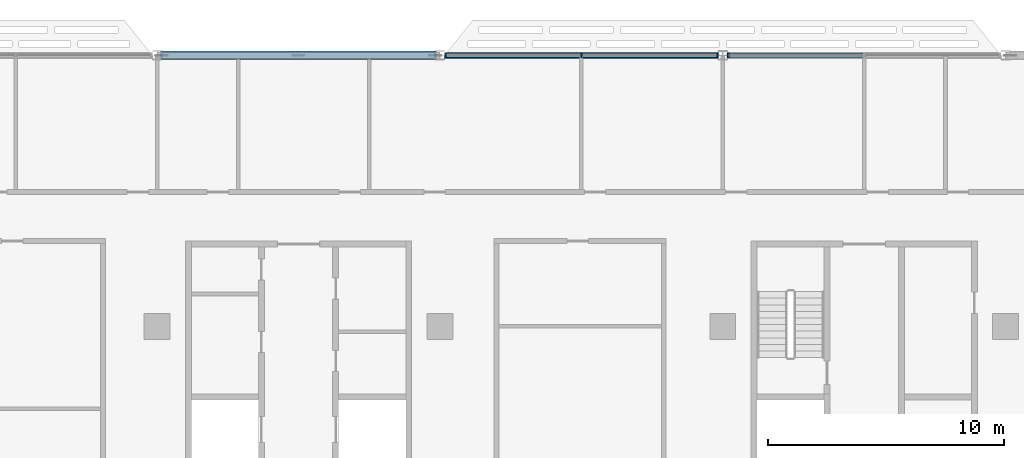
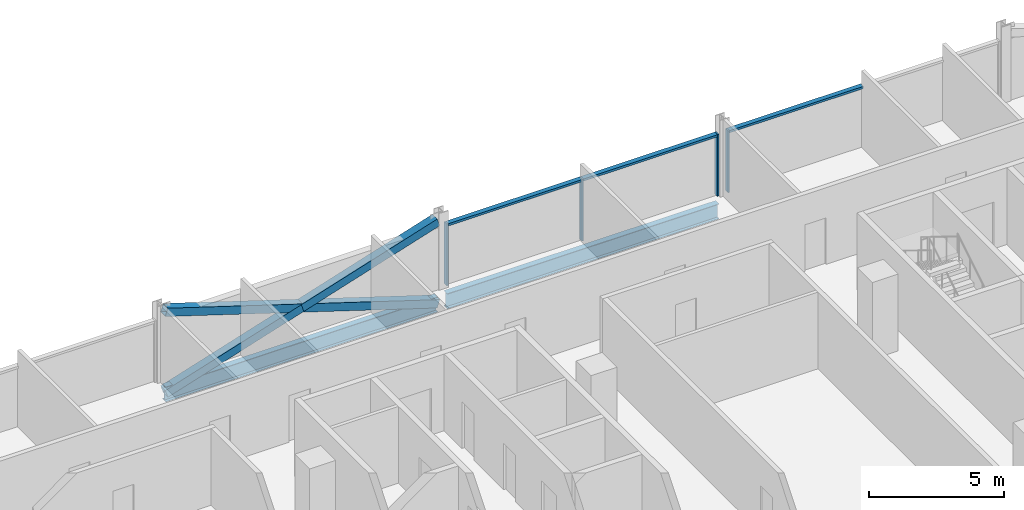
# One storey, part 8 of 30: 10 members, 2 beams, 2 elements without a shape of their own.
"""IFC4 building model written with IfcOpenShell, lengths in metres."""

from ifc_helpers import new_model, si_unit, direction, frame, origin, origin_2d, place, context, subcontext, project, spatial, rectangle, hollow_rectangle, i_section, extrude, material, material_profile, profile_set, type_object, element, aggregate, save


model = new_model("IFC4")

# Units and contexts
model_context = context("Model", 3, precision=1e-05, world=origin(), true_north=direction((0.0, 1.0)))
body_context = subcontext(model_context, "Body", "Model", "MODEL_VIEW")
ifc_project = project(units=[si_unit("LENGTHUNIT", "METRE"), si_unit("AREAUNIT", "SQUARE_METRE"), si_unit("VOLUMEUNIT", "CUBIC_METRE"), si_unit("PLANEANGLEUNIT", "RADIAN"), si_unit("MASSUNIT", "GRAM", prefix="KILO")], contexts=[model_context])

# Site, building, storey
site_placement = place(None, origin())
site = spatial("IfcSite", under=ifc_project, at=site_placement, CompositionType="ELEMENT")
building_placement = place(site_placement, origin())
building = spatial("IfcBuilding", under=site, at=building_placement, Name="Mahtab Terrace Research Tower", CompositionType="ELEMENT")
storey_placement = place(building_placement, frame((0.0, 0.0, 212.89990234375)))
storey = spatial("IfcBuildingStorey", under=building, at=storey_placement, Name="L51", CompositionType="ELEMENT", Elevation=212.89990234375)

# Members
ifc_material_1 = material(Name="Steel ASTM A500 Gr C", Category="steel")
ifc_material_profile_1 = material_profile(ifc_material_1, hollow_rectangle(XDim=0.355712890625, YDim=0.355712890625, WallThickness=0.015869140625, at=origin_2d()), Name="HSS14X14X5/8")
ifc_profile_set_1 = profile_set([ifc_material_profile_1], Name="Steel ASTM A500 Gr C")
member_type_1 = type_object("IfcMemberType", Name="HSS 14x14x5/8 brace XB141458", PredefinedType="BRACE", material=ifc_profile_set_1)
member_1_placement = place(storey_placement, frame((5.79931640625, 23.0, -0.615478515625), z_axis=(-0.953343380425, 0.0, 0.301888057067), x_axis=(0.0, -1.0, 0.0)))
element("IfcMember", 1, at=member_1_placement, inside=storey, type_object=member_type_1, Name="Exoskeleton brace L51 05 a", PredefinedType="BRACE", context=body_context, shape_type="SweptSolid", body=[
    extrude(hollow_rectangle(XDim=0.355712890625, YDim=0.355712890625, WallThickness=0.015869140625, at=origin_2d()), origin(), (0.0, 0.0, 1.0), 12.166259765625),
])
for number, where, z_axis, x_axis, name in (
    (2, (-5.79931640625, 23.0, -0.615478515625), (0.953343380425, 0.0, 0.301888057067), (0.0, 1.0, 0.0), "Exoskeleton brace L51 05 b1"),
    (3, (0.0, 23.0, 1.220947265625), (0.953343380425, 0.0, 0.301888057067), (0.0, 1.0, 0.0), "Exoskeleton brace L51 05 b2"),
):
    element("IfcMember", number, at=place(storey_placement, frame(where, z_axis=z_axis, x_axis=x_axis)), inside=storey, type_object=member_type_1, Name=name, PredefinedType="BRACE", context=body_context, shape_type="SweptSolid", body=[
        extrude(hollow_rectangle(XDim=0.355712890625, YDim=0.355712890625, WallThickness=0.015869140625, at=origin_2d()), origin(), (0.0, 0.0, 1.0), 6.083251953125),
    ])

# Curtain wall, member
ifc_material_2 = material(Name="Laboratory ribbon curtain wall")
curtain_wall_type = type_object("IfcCurtainWallType", Name="Laboratory ribbon curtain wall", PredefinedType="NOTDEFINED", material=ifc_material_2)
curtain_wall_1_placement = place(storey_placement, origin())
curtain_wall_1 = element("IfcCurtainWall", 4, at=curtain_wall_1_placement, inside=storey, type_object=curtain_wall_type, Name="EN.L51.3.5", PredefinedType="NOTDEFINED")
ifc_material_3 = material(Name="Natural anodised aluminium", Category="aluminium")
ifc_material_profile_2 = material_profile(ifc_material_3, rectangle(XDim=0.199951171875, YDim=0.06494140625, at=origin_2d()), Name="MULLION 65x200")
ifc_profile_set_2 = profile_set([ifc_material_profile_2], Name="Natural anodised aluminium")
member_type_2 = type_object("IfcMemberType", Name="Laboratory ribbon curtain wall mullion", PredefinedType="MULLION", material=ifc_profile_set_2)
member_2_placement = place(storey_placement, frame((18.232421875, 23.0, 0.0), z_axis=(0.0, 0.0, 1.0), x_axis=(0.0, -1.0, 0.0)))
member_2 = element("IfcMember", 5, at=member_2_placement, type_object=member_type_2, Name="CWL-6 mullion 3", PredefinedType="MULLION", context=body_context, shape_type="SweptSolid", body=[
    extrude(rectangle(XDim=0.199951171875, YDim=0.06494140625, at=origin_2d()), origin(), (0.0, 0.0, 1.0), 2.781982421875),
])

# Curtain wall, members
curtain_wall_2_placement = place(storey_placement, origin())
curtain_wall_2 = element("IfcCurtainWall", 6, at=curtain_wall_2_placement, inside=storey, type_object=curtain_wall_type, Name="EN.L51.3.6", PredefinedType="NOTDEFINED")
member_3_placement = place(storey_placement, frame((17.767578125, 23.0, 0.0), z_axis=(0.0, 0.0, 1.0), x_axis=(0.0, -1.0, 0.0)))
member_3 = element("IfcMember", 7, at=member_3_placement, type_object=member_type_2, Name="CWL-6 mullion 1", PredefinedType="MULLION", context=body_context, shape_type="SweptSolid", body=[
    extrude(rectangle(XDim=0.199951171875, YDim=0.06494140625, at=origin_2d()), origin(), (0.0, 0.0, 1.0), 2.781982421875),
])
member_4_placement = place(storey_placement, frame((12.0, 23.0, 0.0), z_axis=(0.0, 0.0, 1.0), x_axis=(0.0, -1.0, 0.0)))
member_4 = element("IfcMember", 8, at=member_4_placement, type_object=member_type_2, Name="CWL-6 mullion 2", PredefinedType="MULLION", context=body_context, shape_type="SweptSolid", body=[
    extrude(rectangle(XDim=0.199951171875, YDim=0.06494140625, at=origin_2d()), origin(), (0.0, 0.0, 1.0), 2.781982421875),
])
member_5_placement = place(storey_placement, frame((6.232421875, 23.0, 0.0), z_axis=(0.0, 0.0, 1.0), x_axis=(0.0, -1.0, 0.0)))
member_5 = element("IfcMember", 9, at=member_5_placement, type_object=member_type_2, Name="CWL-6 mullion 3", PredefinedType="MULLION", context=body_context, shape_type="SweptSolid", body=[
    extrude(rectangle(XDim=0.199951171875, YDim=0.06494140625, at=origin_2d()), origin(), (0.0, 0.0, 1.0), 2.781982421875),
])

# Member
ifc_material_profile_3 = material_profile(ifc_material_3, rectangle(XDim=0.199951171875, YDim=0.10009765625, at=origin_2d()), Name="TRANSOM 100x200")
ifc_profile_set_3 = profile_set([ifc_material_profile_3], Name="Natural anodised aluminium")
member_type_3 = type_object("IfcMemberType", Name="Laboratory ribbon curtain wall transom", PredefinedType="USERDEFINED", material=ifc_profile_set_3)
member_6_placement = place(storey_placement, frame((23.967529296875, 23.0, 2.73193359375), z_axis=(-1.0, 0.0, 0.0), x_axis=(0.0, -1.0, 0.0)))
member_6 = element("IfcMember", 10, at=member_6_placement, type_object=member_type_3, Name="CWL-6 transom 2", ObjectType="TRANSOM", PredefinedType="USERDEFINED", context=body_context, shape_type="SweptSolid", body=[
    extrude(rectangle(XDim=0.199951171875, YDim=0.10009765625, at=origin_2d()), origin(), (0.0, 0.0, 1.0), 5.70263671875),
])

aggregate(curtain_wall_1, [member_2, member_6])

member_7_placement = place(storey_placement, frame((17.735107421875, 23.0, 2.73193359375), z_axis=(-1.0, 0.0, 0.0), x_axis=(0.0, -1.0, 0.0)))
member_7 = element("IfcMember", 11, at=member_7_placement, type_object=member_type_3, Name="CWL-6 transom 1", ObjectType="TRANSOM", PredefinedType="USERDEFINED", context=body_context, shape_type="SweptSolid", body=[
    extrude(rectangle(XDim=0.199951171875, YDim=0.10009765625, at=origin_2d()), origin(), (0.0, 0.0, 1.0), 5.70263671875),
])

member_8_placement = place(storey_placement, frame((11.967529296875, 23.0, 2.73193359375), z_axis=(-1.0, 0.0, 0.0), x_axis=(0.0, -1.0, 0.0)))
member_8 = element("IfcMember", 12, at=member_8_placement, type_object=member_type_3, Name="CWL-6 transom 2", ObjectType="TRANSOM", PredefinedType="USERDEFINED", context=body_context, shape_type="SweptSolid", body=[
    extrude(rectangle(XDim=0.199951171875, YDim=0.10009765625, at=origin_2d()), origin(), (0.0, 0.0, 1.0), 5.70263671875),
])

aggregate(curtain_wall_2, [member_3, member_4, member_5, member_7, member_8])

# Beams
ifc_material_4 = material(Name="Steel ASTM A992 Gr 50", Category="steel")
ifc_material_profile_4 = material_profile(ifc_material_4, i_section(OverallWidth=0.25390625, OverallDepth=0.67822265625, WebThickness=0.01171875, FlangeThickness=0.016357421875, at=origin_2d()), Name="W27X84")
ifc_profile_set_4 = profile_set([ifc_material_profile_4], Name="Steel ASTM A992 Gr 50")
beam_type = type_object("IfcBeamType", Name="W27x84 beam BS2784", PredefinedType="BEAM", material=ifc_profile_set_4)
for number, where, z_axis, x_axis, name in (
    (13, (17.79931640625, 23.0, -0.678955078125), (-1.0, 0.0, 0.0), (0.0, -1.0, 0.0), "Spandrel beam L51 04"),
    (14, (5.79931640625, 23.0, -0.678955078125), (-1.0, 0.0, 0.0), (0.0, -1.0, 0.0), "Spandrel beam L51 05"),
):
    element("IfcBeam", number, at=place(storey_placement, frame(where, z_axis=z_axis, x_axis=x_axis)), inside=storey, type_object=beam_type, Name=name, PredefinedType="BEAM", context=body_context, shape_type="SweptSolid", body=[
        extrude(i_section(OverallWidth=0.25390625, OverallDepth=0.67822265625, WebThickness=0.01171875, FlangeThickness=0.016357421875, at=origin_2d()), origin(), (0.0, 0.0, 1.0), 11.5986328125),
    ])

save(model, "model.ifc")
